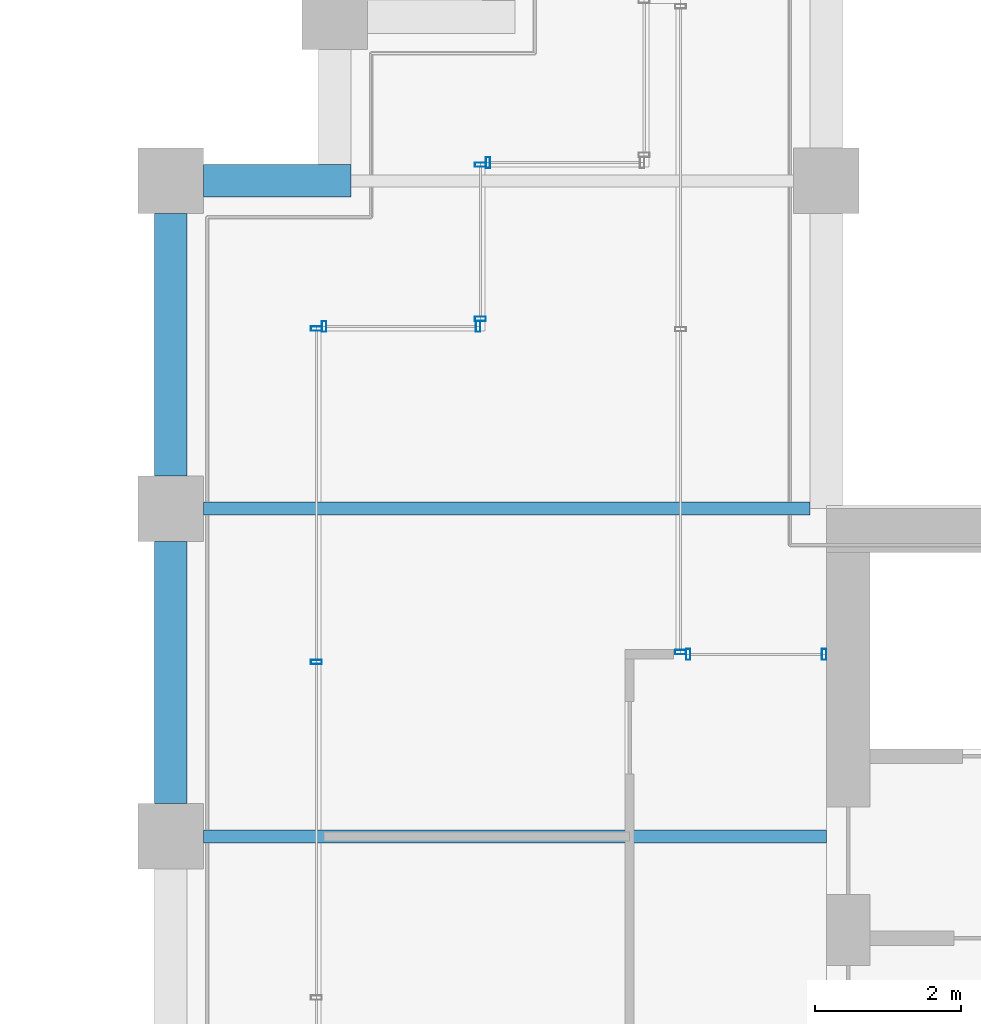
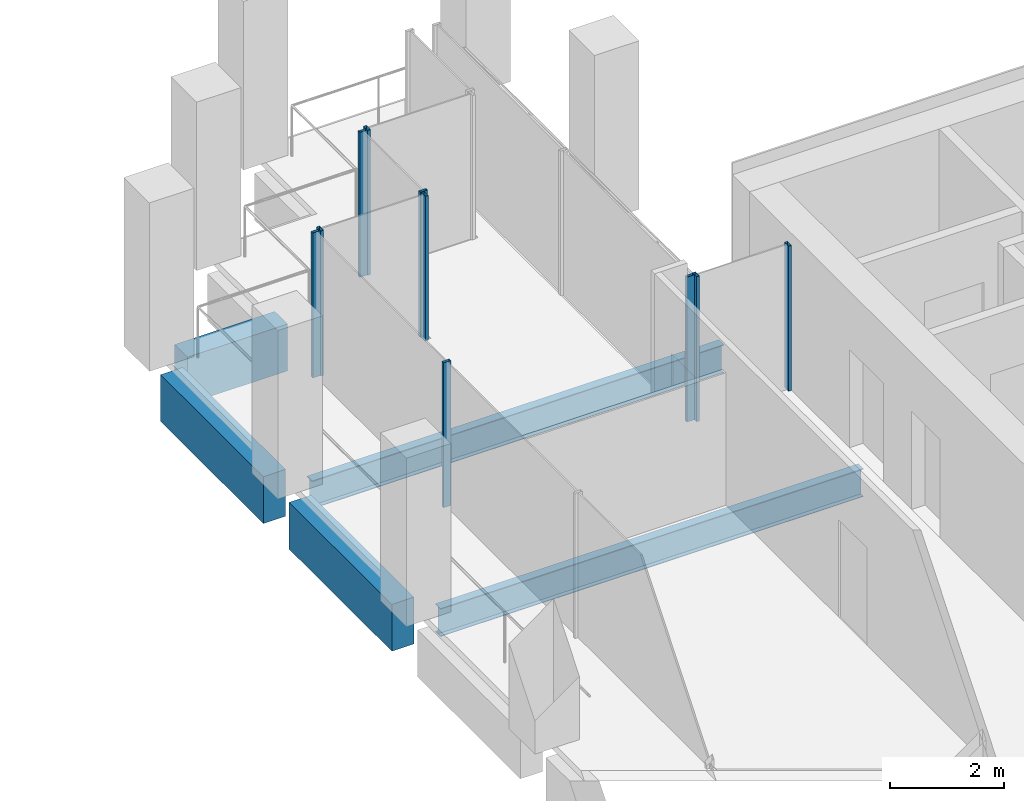
# One storey, part 32 of 40: 10 members, 5 beams, 6 elements without a shape of their own.
"""IFC4 building model written with IfcOpenShell, lengths in metres."""

from ifc_helpers import new_model, si_unit, direction, frame, origin, origin_2d, place, context, subcontext, project, spatial, rectangle, hollow_rectangle, i_section, extrude, material, material_profile, profile_set, type_object, element, aggregate, save


model = new_model("IFC4")

# Units and contexts
model_context = context("Model", 3, precision=1e-05, world=origin(), true_north=direction((0.0, 1.0)))
body_context = subcontext(model_context, "Body", "Model", "MODEL_VIEW")
ifc_project = project(units=[si_unit("LENGTHUNIT", "METRE"), si_unit("AREAUNIT", "SQUARE_METRE"), si_unit("VOLUMEUNIT", "CUBIC_METRE"), si_unit("PLANEANGLEUNIT", "RADIAN"), si_unit("MASSUNIT", "GRAM", prefix="KILO")], contexts=[model_context])

# Site, building, storey
site_placement = place(None, origin())
site = spatial("IfcSite", under=ifc_project, at=site_placement, CompositionType="ELEMENT")
building_placement = place(site_placement, origin())
building = spatial("IfcBuilding", under=site, at=building_placement, Name="Altepetl Exchange Towers", CompositionType="ELEMENT")
storey_placement = place(building_placement, frame((0.0, 0.0, 161.800048828125)))
storey = spatial("IfcBuildingStorey", under=building, at=storey_placement, Name="L40", CompositionType="ELEMENT", Elevation=161.800048828125)

# Beams
ifc_material_1 = material(Name="Steel S355", Category="steel")
ifc_material_profile_1 = material_profile(ifc_material_1, i_section(OverallWidth=0.177978515625, OverallDepth=0.59912109375, WebThickness=0.010009765625, FlangeThickness=0.0126953125, at=origin_2d()), Name="W24X55")
ifc_profile_set_1 = profile_set([ifc_material_profile_1], Name="Steel S355")
beam_type_1 = type_object("IfcBeamType", Name="Floor beam W24X55", PredefinedType="BEAM", material=ifc_profile_set_1)
beam_1_placement = place(storey_placement, frame((94.949951171875, 45.0, -0.449462890625), z_axis=(1.0, 0.0, 0.0), x_axis=(0.0, 1.0, 0.0)))
element("IfcBeam", 1, at=beam_1_placement, inside=storey, type_object=beam_type_1, Name="bm:B:L40:005", PredefinedType="BEAM", context=body_context, shape_type="SweptSolid", body=[
    extrude(i_section(OverallWidth=0.177978515625, OverallDepth=0.59912109375, WebThickness=0.010009765625, FlangeThickness=0.0126953125, at=origin_2d()), origin(), (0.0, 0.0, 1.0), 8.550048828125),
])
beam_2_placement = place(storey_placement, frame((94.949951171875, 49.5, -0.449462890625), z_axis=(1.0, 0.0, 0.0), x_axis=(0.0, 1.0, 0.0)))
element("IfcBeam", 2, at=beam_2_placement, inside=storey, type_object=beam_type_1, Name="bm:B:L40:006", PredefinedType="BEAM", context=body_context, shape_type="SweptSolid", body=[
    extrude(i_section(OverallWidth=0.177978515625, OverallDepth=0.59912109375, WebThickness=0.010009765625, FlangeThickness=0.0126953125, at=origin_2d()), origin(), (0.0, 0.0, 1.0), 8.324951171875),
])

# Curtain wall, members
ifc_material_2 = material(Name="Aluminium 6063-T6 glazing", Category="aluminium")
curtain_wall_type = type_object("IfcCurtainWallType", Name="Loggia glazing system", PredefinedType="NOTDEFINED", material=ifc_material_2)
curtain_wall_1_placement = place(storey_placement, origin())
curtain_wall_1 = element("IfcCurtainWall", 3, at=curtain_wall_1_placement, inside=storey, type_object=curtain_wall_type, Name="CW1 run", PredefinedType="NOTDEFINED")
ifc_material_3 = material(Name="Aluminium 6063-T6", Category="aluminium")
ifc_material_profile_2 = material_profile(ifc_material_3, hollow_rectangle(XDim=0.06005859375, YDim=0.14990234375, WallThickness=0.0029296875, at=origin_2d()), Name="Mullion 60x150 aluminium")
ifc_profile_set_2 = profile_set([ifc_material_profile_2], Name="Aluminium 6063-T6")
member_type = type_object("IfcMemberType", Name="Mullion 60x150 aluminium", PredefinedType="MULLION", material=ifc_profile_set_2)
member_1_placement = place(storey_placement, frame((103.469970703125, 47.5, 0.0), z_axis=(0.0, 0.0, 1.0), x_axis=(-1.0, 0.0, 0.0)))
member_1 = element("IfcMember", 4, at=member_1_placement, type_object=member_type, Name="MU1 mullion", PredefinedType="MULLION", context=body_context, shape_type="SweptSolid", body=[
    extrude(hollow_rectangle(XDim=0.06005859375, YDim=0.14990234375, WallThickness=0.0029296875, at=origin_2d()), origin(), (0.0, 0.0, 1.0), 3.099853515625),
])
member_2_placement = place(storey_placement, frame((101.60498046875, 47.5, 0.0), z_axis=(0.0, 0.0, 1.0), x_axis=(-1.0, 0.0, 0.0)))
member_2 = element("IfcMember", 5, at=member_2_placement, type_object=member_type, Name="MU1 mullion", PredefinedType="MULLION", context=body_context, shape_type="SweptSolid", body=[
    extrude(hollow_rectangle(XDim=0.06005859375, YDim=0.14990234375, WallThickness=0.0029296875, at=origin_2d()), origin(), (0.0, 0.0, 1.0), 3.099853515625),
])
aggregate(curtain_wall_1, [member_1, member_2])

# Curtain wall, member
curtain_wall_2_placement = place(storey_placement, origin())
curtain_wall_2 = element("IfcCurtainWall", 6, at=curtain_wall_2_placement, inside=storey, type_object=curtain_wall_type, Name="CW1 run", PredefinedType="NOTDEFINED")
member_3_placement = place(storey_placement, frame((101.5, 47.530029296875, 0.0), z_axis=(0.0, 0.0, 1.0), x_axis=(0.0, 1.0, 0.0)))
member_3 = element("IfcMember", 7, at=member_3_placement, type_object=member_type, Name="MU1 mullion", PredefinedType="MULLION", context=body_context, shape_type="SweptSolid", body=[
    extrude(hollow_rectangle(XDim=0.06005859375, YDim=0.14990234375, WallThickness=0.0029296875, at=origin_2d()), origin(), (0.0, 0.0, 1.0), 3.099853515625),
])
aggregate(curtain_wall_2, [member_3])

curtain_wall_3_placement = place(storey_placement, origin())
curtain_wall_3 = element("IfcCurtainWall", 8, at=curtain_wall_3_placement, inside=storey, type_object=curtain_wall_type, Name="CW1 run", PredefinedType="NOTDEFINED")
member_4_placement = place(storey_placement, frame((98.85498046875, 54.25, 0.0), z_axis=(0.0, 0.0, 1.0), x_axis=(-1.0, 0.0, 0.0)))
member_4 = element("IfcMember", 9, at=member_4_placement, type_object=member_type, Name="MU1 mullion", PredefinedType="MULLION", context=body_context, shape_type="SweptSolid", body=[
    extrude(hollow_rectangle(XDim=0.06005859375, YDim=0.14990234375, WallThickness=0.0029296875, at=origin_2d()), origin(), (0.0, 0.0, 1.0), 3.099853515625),
])
aggregate(curtain_wall_3, [member_4])

# Curtain wall, members
curtain_wall_4_placement = place(storey_placement, origin())
curtain_wall_4 = element("IfcCurtainWall", 10, at=curtain_wall_4_placement, inside=storey, type_object=curtain_wall_type, Name="CW1 run", PredefinedType="NOTDEFINED")
member_5_placement = place(storey_placement, frame((98.75, 54.219970703125, 0.0), z_axis=(0.0, 0.0, 1.0), x_axis=(0.0, -1.0, 0.0)))
member_5 = element("IfcMember", 11, at=member_5_placement, type_object=member_type, Name="MU1 mullion", PredefinedType="MULLION", context=body_context, shape_type="SweptSolid", body=[
    extrude(hollow_rectangle(XDim=0.06005859375, YDim=0.14990234375, WallThickness=0.0029296875, at=origin_2d()), origin(), (0.0, 0.0, 1.0), 3.099853515625),
])
member_6_placement = place(storey_placement, frame((98.75, 52.10498046875, 0.0), z_axis=(0.0, 0.0, 1.0), x_axis=(0.0, -1.0, 0.0)))
member_6 = element("IfcMember", 12, at=member_6_placement, type_object=member_type, Name="MU1 mullion", PredefinedType="MULLION", context=body_context, shape_type="SweptSolid", body=[
    extrude(hollow_rectangle(XDim=0.06005859375, YDim=0.14990234375, WallThickness=0.0029296875, at=origin_2d()), origin(), (0.0, 0.0, 1.0), 3.099853515625),
])
aggregate(curtain_wall_4, [member_5, member_6])

curtain_wall_5_placement = place(storey_placement, origin())
curtain_wall_5 = element("IfcCurtainWall", 13, at=curtain_wall_5_placement, inside=storey, type_object=curtain_wall_type, Name="CW1 run", PredefinedType="NOTDEFINED")
member_7_placement = place(storey_placement, frame((98.719970703125, 52.0, 0.0), z_axis=(0.0, 0.0, 1.0), x_axis=(-1.0, 0.0, 0.0)))
member_7 = element("IfcMember", 14, at=member_7_placement, type_object=member_type, Name="MU1 mullion", PredefinedType="MULLION", context=body_context, shape_type="SweptSolid", body=[
    extrude(hollow_rectangle(XDim=0.06005859375, YDim=0.14990234375, WallThickness=0.0029296875, at=origin_2d()), origin(), (0.0, 0.0, 1.0), 3.099853515625),
])
member_8_placement = place(storey_placement, frame((96.60498046875, 52.0, 0.0), z_axis=(0.0, 0.0, 1.0), x_axis=(-1.0, 0.0, 0.0)))
member_8 = element("IfcMember", 15, at=member_8_placement, type_object=member_type, Name="MU1 mullion", PredefinedType="MULLION", context=body_context, shape_type="SweptSolid", body=[
    extrude(hollow_rectangle(XDim=0.06005859375, YDim=0.14990234375, WallThickness=0.0029296875, at=origin_2d()), origin(), (0.0, 0.0, 1.0), 3.099853515625),
])
aggregate(curtain_wall_5, [member_7, member_8])

curtain_wall_6_placement = place(storey_placement, origin())
curtain_wall_6 = element("IfcCurtainWall", 16, at=curtain_wall_6_placement, inside=storey, type_object=curtain_wall_type, Name="CW1 run", PredefinedType="NOTDEFINED")
member_9_placement = place(storey_placement, frame((96.5, 51.969970703125, 0.0), z_axis=(0.0, 0.0, 1.0), x_axis=(0.0, -1.0, 0.0)))
member_9 = element("IfcMember", 17, at=member_9_placement, type_object=member_type, Name="MU1 mullion", PredefinedType="MULLION", context=body_context, shape_type="SweptSolid", body=[
    extrude(hollow_rectangle(XDim=0.06005859375, YDim=0.14990234375, WallThickness=0.0029296875, at=origin_2d()), origin(), (0.0, 0.0, 1.0), 3.099853515625),
])
member_10_placement = place(storey_placement, frame((96.5, 47.393798828125, 0.0), z_axis=(0.0, 0.0, 1.0), x_axis=(0.0, -1.0, 0.0)))
member_10 = element("IfcMember", 18, at=member_10_placement, type_object=member_type, Name="MU1 mullion", PredefinedType="MULLION", context=body_context, shape_type="SweptSolid", body=[
    extrude(hollow_rectangle(XDim=0.06005859375, YDim=0.14990234375, WallThickness=0.0029296875, at=origin_2d()), origin(), (0.0, 0.0, 1.0), 3.099853515625),
])
aggregate(curtain_wall_6, [member_9, member_10])

# Beams
ifc_material_4 = material(Name="Concrete C50/60 precast with cantera rosa facing", Category="concrete")
ifc_material_profile_3 = material_profile(ifc_material_4, rectangle(XDim=0.449951171875, YDim=1.0, at=origin_2d()), Name="450 x 1000")
ifc_profile_set_3 = profile_set([ifc_material_profile_3], Name="Concrete C50/60 precast with cantera rosa facing")
beam_type_2 = type_object("IfcBeamType", Name="Spandrel beam 450x1000 cantera rosa", PredefinedType="SPANDREL", material=ifc_profile_set_3)
beam_3_placement = place(storey_placement, frame((96.97509765625, 54.0, -0.650146484375), z_axis=(-1.0, 0.0, 0.0), x_axis=(0.0, -1.0, 0.0)))
element("IfcBeam", 19, at=beam_3_placement, inside=storey, type_object=beam_type_2, Name="sp:B:L40:014", PredefinedType="SPANDREL", context=body_context, shape_type="SweptSolid", body=[
    extrude(rectangle(XDim=0.449951171875, YDim=1.0, at=origin_2d()), origin(), (0.0, 0.0, 1.0), 2.025146484375),
])
for number, where, z_axis, x_axis, name in (
    (20, (94.5, 53.550048828125, -0.650146484375), (0.0, -1.0, 0.0), (1.0, 0.0, 0.0), "sp:B:L40:015"),
    (21, (94.5, 49.050048828125, -0.650146484375), (0.0, -1.0, 0.0), (1.0, 0.0, 0.0), "sp:B:L40:016"),
):
    element("IfcBeam", number, at=place(storey_placement, frame(where, z_axis=z_axis, x_axis=x_axis)), inside=storey, type_object=beam_type_2, Name=name, PredefinedType="SPANDREL", context=body_context, shape_type="SweptSolid", body=[
        extrude(rectangle(XDim=0.449951171875, YDim=1.0, at=origin_2d()), origin(), (0.0, 0.0, 1.0), 3.60009765625),
    ])

save(model, "model.ifc")
